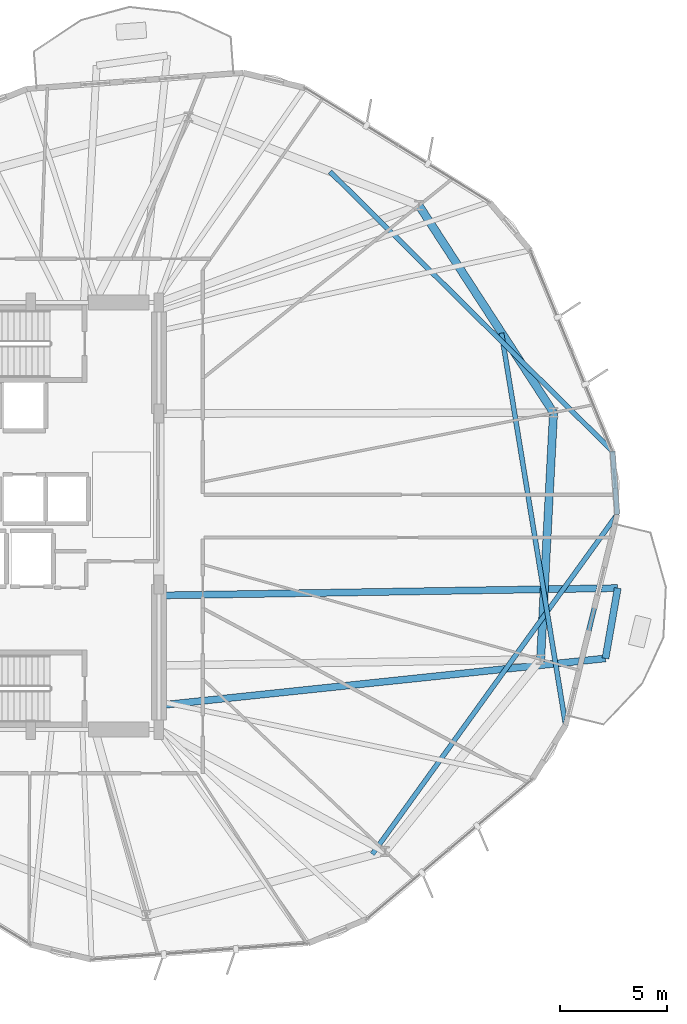
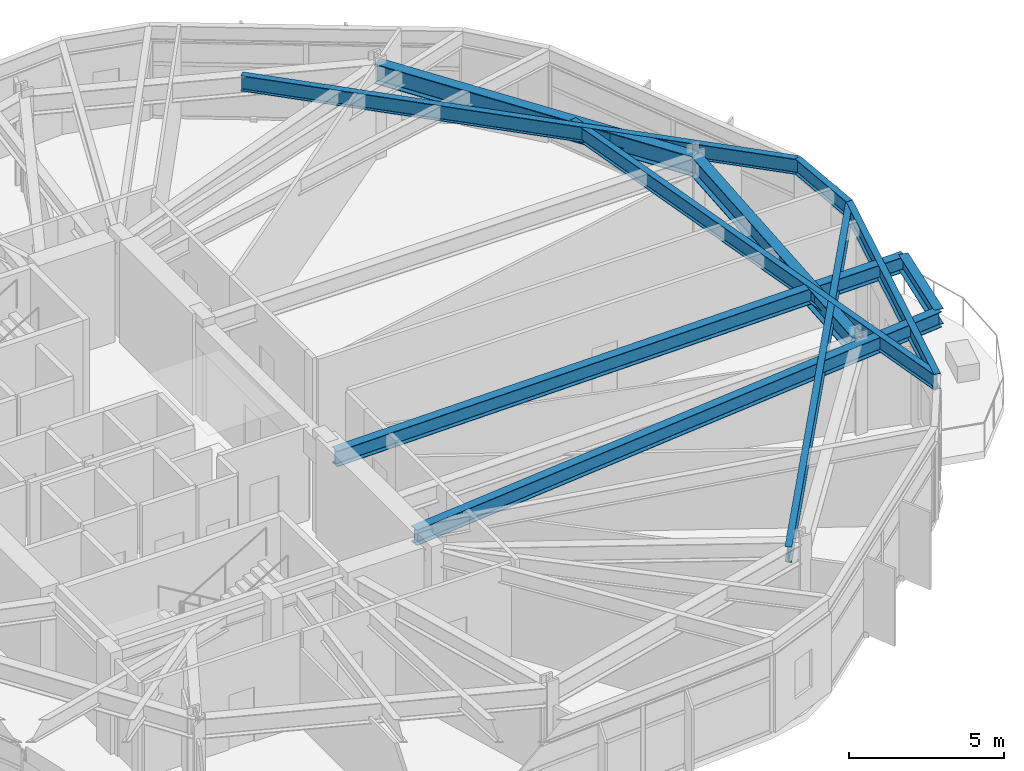
# One storey, part 10 of 22: 10 beams.
"""IFC4 building model written with IfcOpenShell, lengths in metres."""

from ifc_helpers import new_model, si_unit, direction, frame, origin, origin_2d, place, context, subcontext, project, spatial, i_section, extrude, material, material_profile, profile_set, type_object, element, save


model = new_model("IFC4")

# Units and contexts
model_context = context("Model", 3, precision=1e-05, world=origin(), true_north=direction((0.0, 1.0)))
body_context = subcontext(model_context, "Body", "Model", "MODEL_VIEW")
ifc_project = project(units=[si_unit("LENGTHUNIT", "METRE"), si_unit("AREAUNIT", "SQUARE_METRE"), si_unit("VOLUMEUNIT", "CUBIC_METRE"), si_unit("PLANEANGLEUNIT", "RADIAN"), si_unit("MASSUNIT", "GRAM", prefix="KILO")], contexts=[model_context])

# Site, building, storey
site_placement = place(None, origin())
site = spatial("IfcSite", under=ifc_project, at=site_placement, CompositionType="ELEMENT")
building_placement = place(site_placement, origin())
building = spatial("IfcBuilding", under=site, at=building_placement, Name="Soratama Intermodal Tower", CompositionType="ELEMENT")
storey_placement = place(building_placement, frame((0.0, 0.0, 46.60009765625)))
storey = spatial("IfcBuildingStorey", under=building, at=storey_placement, Name="L10", CompositionType="ELEMENT", Elevation=46.60009765625)

# Beams
ifc_material_1 = material(Name="Structural steel ASTM A992 Grade 50", Category="steel")
ifc_material_profile_1 = material_profile(ifc_material_1, i_section(OverallWidth=0.324951171875, OverallDepth=0.615966796875, WebThickness=0.013916015625, FlangeThickness=0.021484375, FilletRadius=0.013916015625, at=origin_2d()), Name="W24X117")
ifc_profile_set_1 = profile_set([ifc_material_profile_1], Name="Structural steel ASTM A992 Grade 50")
beam_type_1 = type_object("IfcBeamType", Name="BM-CANT-W24X117", PredefinedType="BEAM", material=ifc_profile_set_1)
beam_1_placement = place(storey_placement, frame((65.514892578125, 18.3369140625, 3.391845703125), z_axis=(0.172118053483, 0.985076329867, 0.0), x_axis=(-0.985076329867, 0.172118053483, 0.0)))
element("IfcBeam", 1, at=beam_1_placement, inside=storey, type_object=beam_type_1, Name="BM-L10-CBHDR-1", PredefinedType="BEAM", context=body_context, shape_type="SweptSolid", body=[
    extrude(i_section(OverallWidth=0.324951171875, OverallDepth=0.615966796875, WebThickness=0.013916015625, FlangeThickness=0.021484375, FilletRadius=0.013916015625, at=origin_2d()), origin(), (0.0, 0.0, 1.0), 3.341796875),
])
beam_2_placement = place(storey_placement, frame((44.639892578125, 16.139892578125, 3.391845703125), z_axis=(0.994507173555, 0.104668437206, 0.0), x_axis=(-0.104668437206, 0.994507173555, 0.0)))
element("IfcBeam", 2, at=beam_2_placement, inside=storey, type_object=beam_type_1, Name="BM-L10-CANT-1-1", PredefinedType="BEAM", context=body_context, shape_type="SweptSolid", body=[
    extrude(i_section(OverallWidth=0.324951171875, OverallDepth=0.615966796875, WebThickness=0.013916015625, FlangeThickness=0.021484375, FilletRadius=0.013916015625, at=origin_2d()), origin(), (0.0, 0.0, 1.0), 20.990234375),
])
beam_3_placement = place(storey_placement, frame((44.639892578125, 21.284912109375, 3.391845703125), z_axis=(0.999871434088, 0.016034815054, 0.0), x_axis=(-0.016034815054, 0.999871434088, 0.0)))
element("IfcBeam", 3, at=beam_3_placement, inside=storey, type_object=beam_type_1, Name="BM-L10-CANT-1-2", PredefinedType="BEAM", context=body_context, shape_type="SweptSolid", body=[
    extrude(i_section(OverallWidth=0.324951171875, OverallDepth=0.615966796875, WebThickness=0.013916015625, FlangeThickness=0.021484375, FilletRadius=0.013916015625, at=origin_2d()), origin(), (0.0, 0.0, 1.0), 21.452880859375),
])
ifc_material_2 = material(Name="Structural steel ASTM A992 Grade 50", Category="steel")
ifc_material_profile_2 = material_profile(ifc_material_2, i_section(OverallWidth=0.382080078125, OverallDepth=0.779052734375, WebThickness=0.01806640625, FlangeThickness=0.030029296875, FilletRadius=0.01806640625, at=origin_2d()), Name="W30X191")
ifc_profile_set_2 = profile_set([ifc_material_profile_2], Name="Structural steel ASTM A992 Grade 50")
beam_type_2 = type_object("IfcBeamType", Name="BM-RING-W30X191", PredefinedType="BEAM", material=ifc_profile_set_2)
beam_4_placement = place(storey_placement, frame((63.08203125, 29.844970703125, 3.310302734375), z_axis=(-0.544623370352, 0.838680740489, 0.0), x_axis=(-0.838680740489, -0.544623370352, 0.0)))
element("IfcBeam", 4, at=beam_4_placement, inside=storey, type_object=beam_type_2, Name="BM-L10-RING-01", PredefinedType="BEAM", context=body_context, shape_type="SweptSolid", body=[
    extrude(i_section(OverallWidth=0.382080078125, OverallDepth=0.779052734375, WebThickness=0.01806640625, FlangeThickness=0.030029296875, FilletRadius=0.01806640625, at=origin_2d()), origin(), (0.0, 0.0, 1.0), 11.569580078125),
])
beam_5_placement = place(storey_placement, frame((62.47705078125, 18.291015625, 3.310302734375), z_axis=(0.052289698717, 0.998631957935, 0.0), x_axis=(-0.998631957935, 0.052289698717, 0.0)))
element("IfcBeam", 5, at=beam_5_placement, inside=storey, type_object=beam_type_2, Name="BM-L10-RING-10", PredefinedType="BEAM", context=body_context, shape_type="SweptSolid", body=[
    extrude(i_section(OverallWidth=0.382080078125, OverallDepth=0.779052734375, WebThickness=0.01806640625, FlangeThickness=0.030029296875, FilletRadius=0.01806640625, at=origin_2d()), origin(), (0.0, 0.0, 1.0), 11.56982421875),
])
ifc_material_3 = material(Name="Structural steel ASTM A992 Grade 50", Category="steel")
ifc_material_profile_3 = material_profile(ifc_material_3, i_section(OverallWidth=0.22900390625, OverallDepth=0.612060546875, WebThickness=0.011962890625, FlangeThickness=0.01953125, FilletRadius=0.012939453125, at=origin_2d()), Name="W24X84")
ifc_profile_set_3 = profile_set([ifc_material_profile_3], Name="Structural steel ASTM A992 Grade 50")
beam_type_3 = type_object("IfcBeamType", Name="BM-SPN-W24X84", PredefinedType="SPANDREL", material=ifc_profile_set_3)
beam_6_placement = place(storey_placement, frame((63.65087890625, 15.20703125, 3.393798828125), z_axis=(0.237469205493, 0.971395067129, 0.0), x_axis=(-0.971395067129, 0.237469205493, 0.0)))
element("IfcBeam", 6, at=beam_6_placement, inside=storey, type_object=beam_type_3, Name="BS-L10-F10", PredefinedType="SPANDREL", context=body_context, shape_type="SweptSolid", body=[
    extrude(i_section(OverallWidth=0.22900390625, OverallDepth=0.612060546875, WebThickness=0.011962890625, FlangeThickness=0.01953125, FilletRadius=0.012939453125, at=origin_2d()), origin(), (0.0, 0.0, 1.0), 10.165771484375),
])
beam_7_placement = place(storey_placement, frame((66.06494140625, 25.08203125, 3.393798828125), z_axis=(-0.074487115252, 0.997221976122, 0.0), x_axis=(-0.997221976122, -0.074487115252, 0.0)))
element("IfcBeam", 7, at=beam_7_placement, inside=storey, type_object=beam_type_3, Name="BS-L10-CRN10", PredefinedType="SPANDREL", context=body_context, shape_type="SweptSolid", body=[
    extrude(i_section(OverallWidth=0.22900390625, OverallDepth=0.612060546875, WebThickness=0.011962890625, FlangeThickness=0.01953125, FilletRadius=0.012939453125, at=origin_2d()), origin(), (0.0, 0.0, 1.0), 2.96630859375),
])
ifc_material_4 = material(Name="Structural steel ASTM A992 Grade 50", Category="steel")
ifc_material_profile_4 = material_profile(ifc_material_4, i_section(OverallWidth=0.22900390625, OverallDepth=0.612060546875, WebThickness=0.011962890625, FlangeThickness=0.01953125, FilletRadius=0.012939453125, at=origin_2d()), Name="W24X84")
ifc_profile_set_4 = profile_set([ifc_material_profile_4], Name="Structural steel ASTM A992 Grade 50")
beam_type_4 = type_object("IfcBeamType", Name="BM-TIE-W24X84", PredefinedType="BEAM", material=ifc_profile_set_4)
beam_8_placement = place(storey_placement, frame((52.618896484375, 41.1279296875, 3.393798828125), z_axis=(0.710784271394, -0.703410064997, 0.0), x_axis=(0.703410064997, 0.710784271394, 0.0)))
element("IfcBeam", 8, at=beam_8_placement, inside=storey, type_object=beam_type_4, Name="BM-L10-TIE0-01", PredefinedType="BEAM", context=body_context, shape_type="SweptSolid", body=[
    extrude(i_section(OverallWidth=0.22900390625, OverallDepth=0.612060546875, WebThickness=0.011962890625, FlangeThickness=0.01953125, FilletRadius=0.012939453125, at=origin_2d()), origin(), (0.0, 0.0, 1.0), 18.6064453125),
])
beam_9_placement = place(storey_placement, frame((60.64404296875, 33.570068359375, 3.393798828125), z_axis=(0.161591955503, -0.9868576594, 0.0), x_axis=(0.9868576594, 0.161591955503, 0.0)))
element("IfcBeam", 9, at=beam_9_placement, inside=storey, type_object=beam_type_4, Name="BM-L10-TIE0-10", PredefinedType="BEAM", context=body_context, shape_type="SweptSolid", body=[
    extrude(i_section(OverallWidth=0.22900390625, OverallDepth=0.612060546875, WebThickness=0.011962890625, FlangeThickness=0.01953125, FilletRadius=0.012939453125, at=origin_2d()), origin(), (0.0, 0.0, 1.0), 18.607666015625),
])
beam_10_placement = place(storey_placement, frame((54.594970703125, 9.1650390625, 3.393798828125), z_axis=(0.584631513731, 0.811298954241, 0.0), x_axis=(-0.811298954241, 0.584631513731, 0.0)))
element("IfcBeam", 10, at=beam_10_placement, inside=storey, type_object=beam_type_4, Name="BM-L10-TIE1-10", PredefinedType="BEAM", context=body_context, shape_type="SweptSolid", body=[
    extrude(i_section(OverallWidth=0.22900390625, OverallDepth=0.612060546875, WebThickness=0.011962890625, FlangeThickness=0.01953125, FilletRadius=0.012939453125, at=origin_2d()), origin(), (0.0, 0.0, 1.0), 19.619140625),
])

save(model, "model.ifc")
